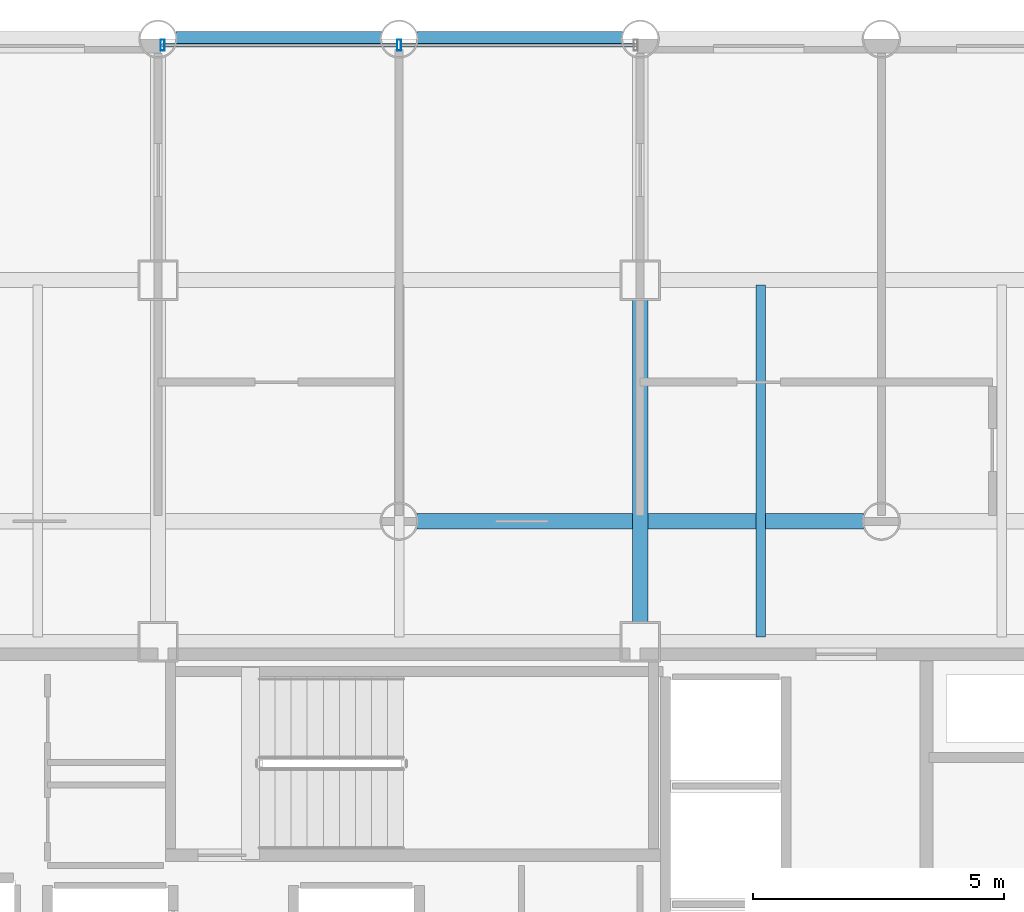
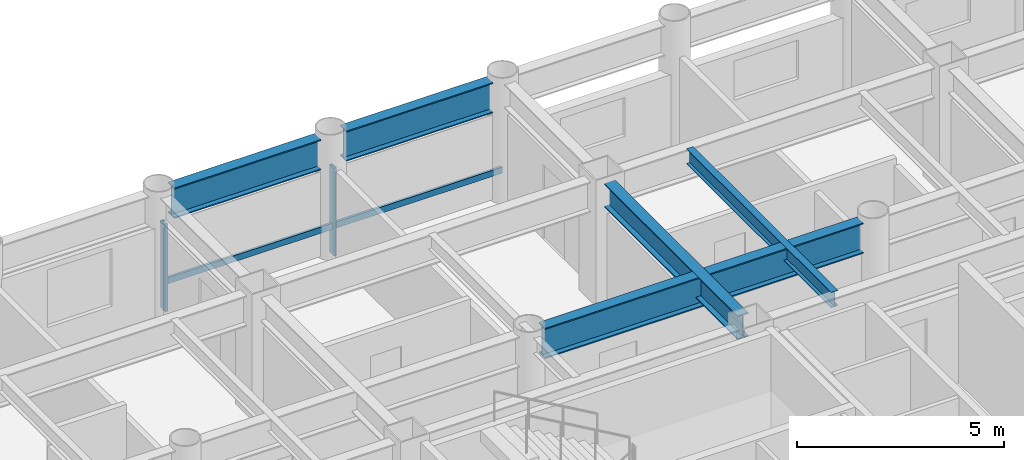
# One storey, part 11 of 20: 5 beams, 4 members, 1 element without a shape of its own.
"""IFC4 building model written with IfcOpenShell, lengths in metres."""

from ifc_helpers import new_model, si_unit, direction, frame, origin, origin_2d, place, context, subcontext, project, spatial, hollow_rectangle, i_section, extrude, material, layer, layer_set, material_profile, profile_set, type_object, element, aggregate, save


model = new_model("IFC4")

# Units and contexts
model_context = context("Model", 3, precision=1e-05, world=origin(), true_north=direction((0.0, 1.0)))
body_context = subcontext(model_context, "Body", "Model", "MODEL_VIEW")
ifc_project = project(units=[si_unit("LENGTHUNIT", "METRE"), si_unit("AREAUNIT", "SQUARE_METRE"), si_unit("VOLUMEUNIT", "CUBIC_METRE"), si_unit("PLANEANGLEUNIT", "RADIAN"), si_unit("MASSUNIT", "GRAM", prefix="KILO")], contexts=[model_context])

# Site, building, storey
site_placement = place(None, origin())
site = spatial("IfcSite", under=ifc_project, at=site_placement, CompositionType="ELEMENT")
building_placement = place(site_placement, origin())
building = spatial("IfcBuilding", under=site, at=building_placement, Name="Kallvorn Hotel Tower", CompositionType="ELEMENT")
storey_placement = place(building_placement, frame((0.0, 0.0, 78.10009765625)))
storey = spatial("IfcBuildingStorey", under=building, at=storey_placement, Name="L18", CompositionType="ELEMENT", Elevation=78.10009765625)

# Beams
ifc_material_1 = material(Name="Structural steel S355JR", Category="steel")
ifc_material_profile_1 = material_profile(ifc_material_1, i_section(OverallWidth=0.300048828125, OverallDepth=0.699951171875, WebThickness=0.01708984375, FlangeThickness=0.031982421875, at=origin_2d()), Name="HE 700 B")
ifc_profile_set_1 = profile_set([ifc_material_profile_1], Name="Structural steel S355JR")
beam_type_1 = type_object("IfcBeamType", Name="BM_HE700B", PredefinedType="BEAM", material=ifc_profile_set_1)
beam_1_placement = place(storey_placement, frame((4.800048828125, 7.574951171875, 3.169921875), z_axis=(0.0, 1.0, 0.0), x_axis=(-1.0, 0.0, 0.0)))
element("IfcBeam", 1, at=beam_1_placement, inside=storey, type_object=beam_type_1, Name="L19 Primary Y-Girder 116", PredefinedType="BEAM", context=body_context, shape_type="SweptSolid", body=[
    extrude(i_section(OverallWidth=0.300048828125, OverallDepth=0.699951171875, WebThickness=0.01708984375, FlangeThickness=0.031982421875, at=origin_2d()), origin(), (0.0, 0.0, 1.0), 6.449951171875),
])
ifc_material_2 = material(Name="Structural steel S355JR", Category="steel")
ifc_material_profile_2 = material_profile(ifc_material_2, i_section(OverallWidth=0.300048828125, OverallDepth=0.89990234375, WebThickness=0.0185546875, FlangeThickness=0.034912109375, at=origin_2d()), Name="HE 900 B")
ifc_profile_set_2 = profile_set([ifc_material_profile_2], Name="Structural steel S355JR")
beam_type_2 = type_object("IfcBeamType", Name="BM_HE900B", PredefinedType="BEAM", material=ifc_profile_set_2)
beam_2_placement = place(storey_placement, frame((0.35595703125, 9.60009765625, 3.06982421875), z_axis=(1.0, 0.0, 0.0), x_axis=(0.0, 1.0, 0.0)))
element("IfcBeam", 2, at=beam_2_placement, inside=storey, type_object=beam_type_2, Name="L19 Primary X-Girder 46", PredefinedType="BEAM", context=body_context, shape_type="SweptSolid", body=[
    extrude(i_section(OverallWidth=0.300048828125, OverallDepth=0.89990234375, WebThickness=0.0185546875, FlangeThickness=0.034912109375, at=origin_2d()), origin(), (0.0, 0.0, 1.0), 8.887939453125),
])
for number, where, z_axis, x_axis, name in (
    (3, (-4.444091796875, 19.199951171875, 3.06982421875), (1.0, 0.0, 0.0), (0.0, 1.0, 0.0), "L19 Primary X-Girder 66"),
    (4, (0.35595703125, 19.199951171875, 3.06982421875), (1.0, 0.0, 0.0), (0.0, 1.0, 0.0), "L19 Primary X-Girder 67"),
):
    element("IfcBeam", number, at=place(storey_placement, frame(where, z_axis=z_axis, x_axis=x_axis)), inside=storey, type_object=beam_type_2, Name=name, PredefinedType="BEAM", context=body_context, shape_type="SweptSolid", body=[
        extrude(i_section(OverallWidth=0.300048828125, OverallDepth=0.89990234375, WebThickness=0.0185546875, FlangeThickness=0.034912109375, at=origin_2d()), origin(), (0.0, 0.0, 1.0), 4.088134765625),
    ])
ifc_material_3 = material(Name="Structural steel S355JR", Category="steel")
ifc_material_profile_3 = material_profile(ifc_material_3, i_section(OverallWidth=0.18994140625, OverallDepth=0.449951171875, WebThickness=0.009521484375, FlangeThickness=0.0146484375, at=origin_2d()), Name="IPE 450")
ifc_profile_set_3 = profile_set([ifc_material_profile_3], Name="Structural steel S355JR")
beam_type_3 = type_object("IfcBeamType", Name="BM_IPE450", PredefinedType="JOIST", material=ifc_profile_set_3)
beam_3_placement = place(storey_placement, frame((7.199951171875, 7.300048828125, 3.294921875), z_axis=(0.0, 1.0, 0.0), x_axis=(-1.0, 0.0, 0.0)))
element("IfcBeam", 5, at=beam_3_placement, inside=storey, type_object=beam_type_3, Name="L19 Secondary Composite Joist 203", PredefinedType="JOIST", context=body_context, shape_type="SweptSolid", body=[
    extrude(i_section(OverallWidth=0.18994140625, OverallDepth=0.449951171875, WebThickness=0.009521484375, FlangeThickness=0.0146484375, at=origin_2d()), origin(), (0.0, 0.0, 1.0), 7.0),
])

# Curtain wall, members
ifc_material_4 = material(Name="Thermally broken black-anodised aluminium AA 6063-T6", Category="aluminium")
ifc_layer = layer(ifc_material_4, 0.199951171875)
ifc_layer_set = layer_set([ifc_layer], Name="CW_SYS_3_HOTEL_LOW")
curtain_wall_type = type_object("IfcCurtainWallType", Name="CW_SYS_3_HOTEL_LOW", PredefinedType="USERDEFINED", material=ifc_layer_set)
curtain_wall_placement = place(storey_placement, origin())
curtain_wall = element("IfcCurtainWall", 6, at=curtain_wall_placement, inside=storey, type_object=curtain_wall_type, Name="L18 Dark-Glass Curtain Wall CW-L18-NC", ObjectType="UNITISED CURTAIN WALL", PredefinedType="USERDEFINED")
ifc_material_5 = material(Name="Thermally broken black-anodised aluminium AA 6063-T6", Category="aluminium")
ifc_material_profile_4 = material_profile(ifc_material_5, hollow_rectangle(XDim=0.080078125, YDim=0.219970703125, WallThickness=0.0048828125, at=origin_2d()), Name="MUL 220x80")
ifc_profile_set_4 = profile_set([ifc_material_profile_4], Name="Thermally broken black-anodised aluminium AA 6063-T6")
member_type_1 = type_object("IfcMemberType", Name="CW_MULLION_220x80", PredefinedType="MULLION", material=ifc_profile_set_4)
member_1_placement = place(storey_placement, frame((-4.7099609375, 19.080078125, 0.02001953125), z_axis=(0.0, 0.0, 1.0), x_axis=(1.0, 0.0, 0.0)))
member_1 = element("IfcMember", 7, at=member_1_placement, type_object=member_type_1, Name="CW-L18-NC Mullion 00", PredefinedType="MULLION", context=body_context, shape_type="SweptSolid", body=[
    extrude(hollow_rectangle(XDim=0.080078125, YDim=0.219970703125, WallThickness=0.0048828125, at=origin_2d()), origin(), (0.0, 0.0, 1.0), 2.579833984375),
])
member_2_placement = place(storey_placement, frame((0.0, 19.080078125, 0.02001953125), z_axis=(0.0, 0.0, 1.0), x_axis=(1.0, 0.0, 0.0)))
member_2 = element("IfcMember", 8, at=member_2_placement, type_object=member_type_1, Name="CW-L18-NC Mullion 01", PredefinedType="MULLION", context=body_context, shape_type="SweptSolid", body=[
    extrude(hollow_rectangle(XDim=0.080078125, YDim=0.219970703125, WallThickness=0.0048828125, at=origin_2d()), origin(), (0.0, 0.0, 1.0), 2.579833984375),
])
ifc_material_6 = material(Name="Thermally broken black-anodised aluminium AA 6063-T6", Category="aluminium")
ifc_material_profile_5 = material_profile(ifc_material_6, hollow_rectangle(XDim=0.070068359375, YDim=0.179931640625, WallThickness=0.00390625, at=origin_2d()), Name="TRN 180x70")
ifc_profile_set_5 = profile_set([ifc_material_profile_5], Name="Thermally broken black-anodised aluminium AA 6063-T6")
member_type_2 = type_object("IfcMemberType", Name="CW_TRANSOM_180x70", PredefinedType="USERDEFINED", material=ifc_profile_set_5)
member_3_placement = place(storey_placement, frame((-4.7099609375, 19.080078125, 0.849853515625), z_axis=(1.0, 0.0, 0.0), x_axis=(0.0, 1.0, 0.0)))
member_3 = element("IfcMember", 9, at=member_3_placement, type_object=member_type_2, Name="CW-L18-NC Transom 00M", ObjectType="TRANSOM", PredefinedType="USERDEFINED", context=body_context, shape_type="SweptSolid", body=[
    extrude(hollow_rectangle(XDim=0.070068359375, YDim=0.179931640625, WallThickness=0.00390625, at=origin_2d()), origin(), (0.0, 0.0, 1.0), 4.669921875),
])
member_4_placement = place(storey_placement, frame((0.0400390625, 19.080078125, 0.849853515625), z_axis=(1.0, 0.0, 0.0), x_axis=(0.0, 1.0, 0.0)))
member_4 = element("IfcMember", 10, at=member_4_placement, type_object=member_type_2, Name="CW-L18-NC Transom 01M", ObjectType="TRANSOM", PredefinedType="USERDEFINED", context=body_context, shape_type="SweptSolid", body=[
    extrude(hollow_rectangle(XDim=0.070068359375, YDim=0.179931640625, WallThickness=0.00390625, at=origin_2d()), origin(), (0.0, 0.0, 1.0), 4.669921875),
])
aggregate(curtain_wall, [member_1, member_2, member_3, member_4])

save(model, "model.ifc")
